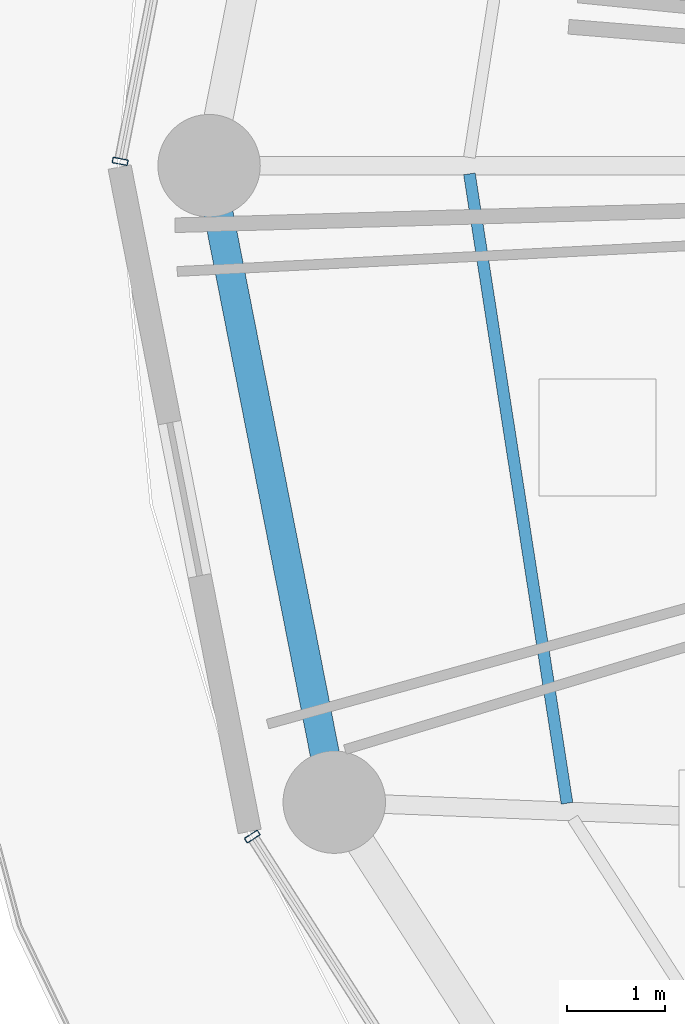
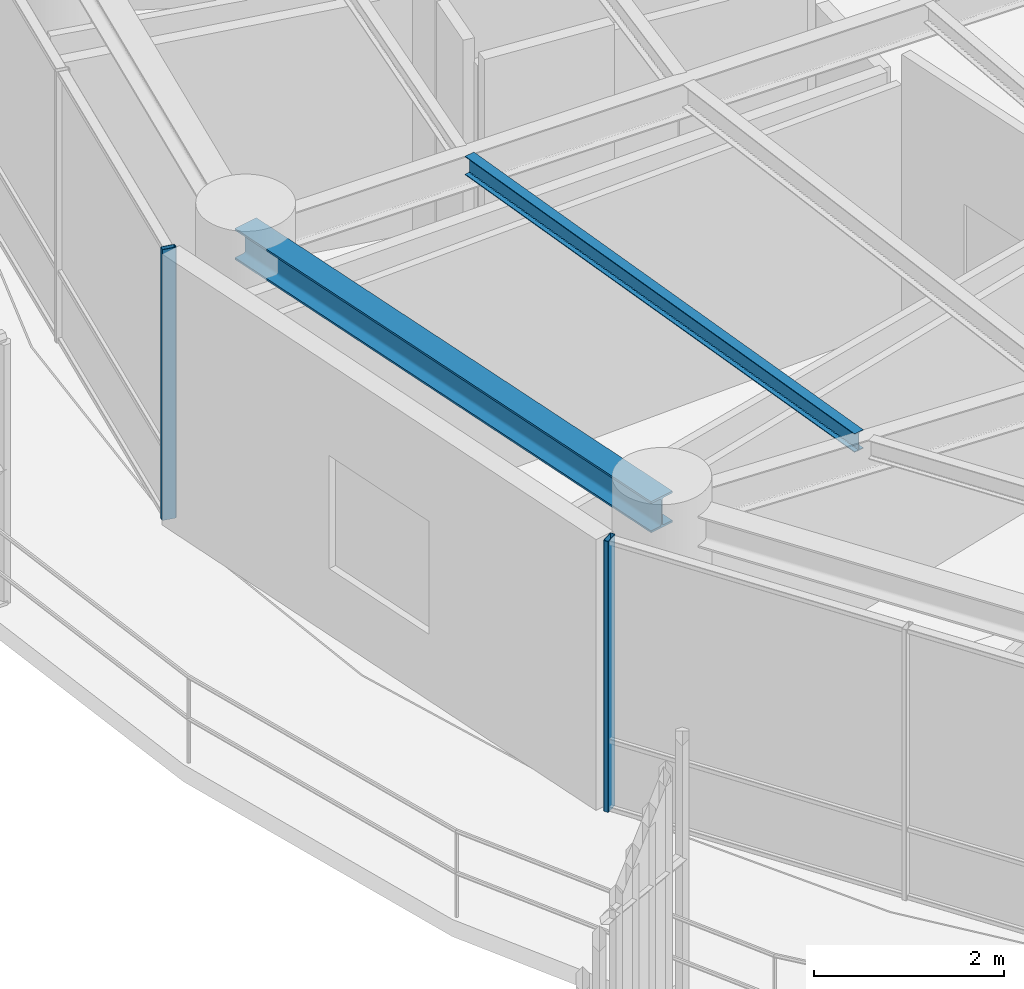
# One storey, part 6 of 31: 2 beams, 2 members, 2 elements without a shape of their own.
"""IFC4 building model written with IfcOpenShell, lengths in metres."""

from ifc_helpers import new_model, si_unit, direction, frame, origin, origin_2d, place, context, subcontext, project, spatial, hollow_rectangle, i_section, extrude, material, layer, layer_set, material_profile, profile_set, type_object, element, aggregate, save


model = new_model("IFC4")

# Units and contexts
model_context = context("Model", 3, precision=1e-05, world=origin(), true_north=direction((0.0, 1.0)))
body_context = subcontext(model_context, "Body", "Model", "MODEL_VIEW")
ifc_project = project(units=[si_unit("LENGTHUNIT", "METRE"), si_unit("AREAUNIT", "SQUARE_METRE"), si_unit("VOLUMEUNIT", "CUBIC_METRE"), si_unit("PLANEANGLEUNIT", "RADIAN"), si_unit("MASSUNIT", "GRAM", prefix="KILO")], contexts=[model_context])

# Site, building, storey
site_placement = place(None, origin())
site = spatial("IfcSite", under=ifc_project, at=site_placement, CompositionType="ELEMENT")
building_placement = place(site_placement, origin())
building = spatial("IfcBuilding", under=site, at=building_placement, Name="Kelanora Arch Commons", CompositionType="ELEMENT")
storey_placement = place(building_placement, frame((0.0, 0.0, 200.699951171875)))
storey = spatial("IfcBuildingStorey", under=building, at=storey_placement, Name="L51", CompositionType="ELEMENT", Elevation=200.699951171875)

# Beams
ifc_material_1 = material(Name="Steel S355", Category="steel")
ifc_material_profile_1 = material_profile(ifc_material_1, i_section(OverallWidth=0.1201171875, OverallDepth=0.239990234375, WebThickness=0.006103515625, FlangeThickness=0.009765625, FilletRadius=0.014892578125, at=origin_2d()), Name="IPE240")
ifc_profile_set_1 = profile_set([ifc_material_profile_1], Name="Steel S355")
beam_type_1 = type_object("IfcBeamType", Name="BM-JST-02", PredefinedType="JOIST", material=ifc_profile_set_1)
beam_1_placement = place(storey_placement, frame((55.388916015625, 57.916015625, 3.3701171875), z_axis=(0.153256756152, -0.988186402808, 0.0), x_axis=(0.988186402808, 0.153256756152, 0.0)))
element("IfcBeam", 1, at=beam_1_placement, inside=storey, type_object=beam_type_1, Name="Secondary Chord Joist BJC-18 L51", PredefinedType="JOIST", context=body_context, shape_type="SweptSolid", body=[
    extrude(i_section(OverallWidth=0.1201171875, OverallDepth=0.239990234375, WebThickness=0.006103515625, FlangeThickness=0.009765625, FilletRadius=0.014892578125, at=origin_2d()), origin(), (0.0, 0.0, 1.0), 6.52978515625),
])
ifc_material_profile_2 = material_profile(ifc_material_1, i_section(OverallWidth=0.300048828125, OverallDepth=0.39990234375, WebThickness=0.013427734375, FlangeThickness=0.02392578125, FilletRadius=0.027099609375, at=origin_2d()), Name="HEB400")
ifc_profile_set_2 = profile_set([ifc_material_profile_2], Name="Steel S355")
beam_type_2 = type_object("IfcBeamType", Name="BM-SPN-Z4", PredefinedType="SPANDREL", material=ifc_profile_set_2)
beam_2_placement = place(storey_placement, frame((52.719970703125, 58.0, 3.2900390625), z_axis=(0.192980724826, -0.981202547819, 0.0), x_axis=(0.981202547819, 0.192980724826, 0.0)))
element("IfcBeam", 2, at=beam_2_placement, inside=storey, type_object=beam_type_2, Name="Perimeter Spandrel Beam BS-18 L51", PredefinedType="SPANDREL", context=body_context, shape_type="SweptSolid", body=[
    extrude(i_section(OverallWidth=0.300048828125, OverallDepth=0.39990234375, WebThickness=0.013427734375, FlangeThickness=0.02392578125, FilletRadius=0.027099609375, at=origin_2d()), origin(), (0.0, 0.0, 1.0), 6.650634765625),
])

# Curtain wall, member
ifc_material_2 = material(Name="Terracotta ceramic-fritted low-E glass and aluminium", Category="masonry")
ifc_layer = layer(ifc_material_2, 0.175048828125)
ifc_layer_set = layer_set([ifc_layer], Name="Terracotta ceramic-fritted low-E glass and aluminium")
curtain_wall_type = type_object("IfcCurtainWallType", Name="CW-SYS-02", PredefinedType="NOTDEFINED", material=ifc_layer_set)
curtain_wall_1_placement = place(storey_placement, origin())
curtain_wall_1 = element("IfcCurtainWall", 3, at=curtain_wall_1_placement, inside=storey, type_object=curtain_wall_type, Name="Unitised Curtain Wall L51-B08", PredefinedType="NOTDEFINED")
ifc_material_3 = material(Name="Powder-coated aluminium terracotta", Category="masonry")
ifc_material_profile_3 = material_profile(ifc_material_3, hollow_rectangle(XDim=0.159912109375, YDim=0.06005859375, WallThickness=0.0048828125, InnerFilletRadius=0.0048828125, OuterFilletRadius=0.010009765625, at=origin_2d()), Name="CWM160x60")
ifc_profile_set_3 = profile_set([ifc_material_profile_3], Name="Powder-coated aluminium terracotta")
member_type = type_object("IfcMemberType", Name="CWM-STD", PredefinedType="MULLION", material=ifc_profile_set_3)
member_1_placement = place(storey_placement, frame((51.80859375, 58.044189453125, 0.0), z_axis=(0.0, 0.0, 1.0), x_axis=(0.981381438349, -0.192068926335, 0.0)))
member_1 = element("IfcMember", 4, at=member_1_placement, type_object=member_type, Name="CW-02 mullion 3", PredefinedType="MULLION", context=body_context, shape_type="SweptSolid", body=[
    extrude(hollow_rectangle(XDim=0.159912109375, YDim=0.06005859375, WallThickness=0.0048828125, InnerFilletRadius=0.0048828125, OuterFilletRadius=0.010009765625, at=origin_2d()), origin(), (0.0, 0.0, 1.0), 3.47509765625),
])
aggregate(curtain_wall_1, [member_1])

curtain_wall_2_placement = place(storey_placement, origin())
curtain_wall_2 = element("IfcCurtainWall", 5, at=curtain_wall_2_placement, inside=storey, type_object=curtain_wall_type, Name="Unitised Curtain Wall L51-B10", PredefinedType="NOTDEFINED")
member_2_placement = place(storey_placement, frame((53.1630859375, 51.121826171875, 0.0), z_axis=(0.0, 0.0, 1.0), x_axis=(0.84194757539, 0.539559338994, 0.0)))
member_2 = element("IfcMember", 6, at=member_2_placement, type_object=member_type, Name="CW-02 mullion 1", PredefinedType="MULLION", context=body_context, shape_type="SweptSolid", body=[
    extrude(hollow_rectangle(XDim=0.159912109375, YDim=0.06005859375, WallThickness=0.0048828125, InnerFilletRadius=0.0048828125, OuterFilletRadius=0.010009765625, at=origin_2d()), origin(), (0.0, 0.0, 1.0), 3.47509765625),
])
aggregate(curtain_wall_2, [member_2])

save(model, "model.ifc")
